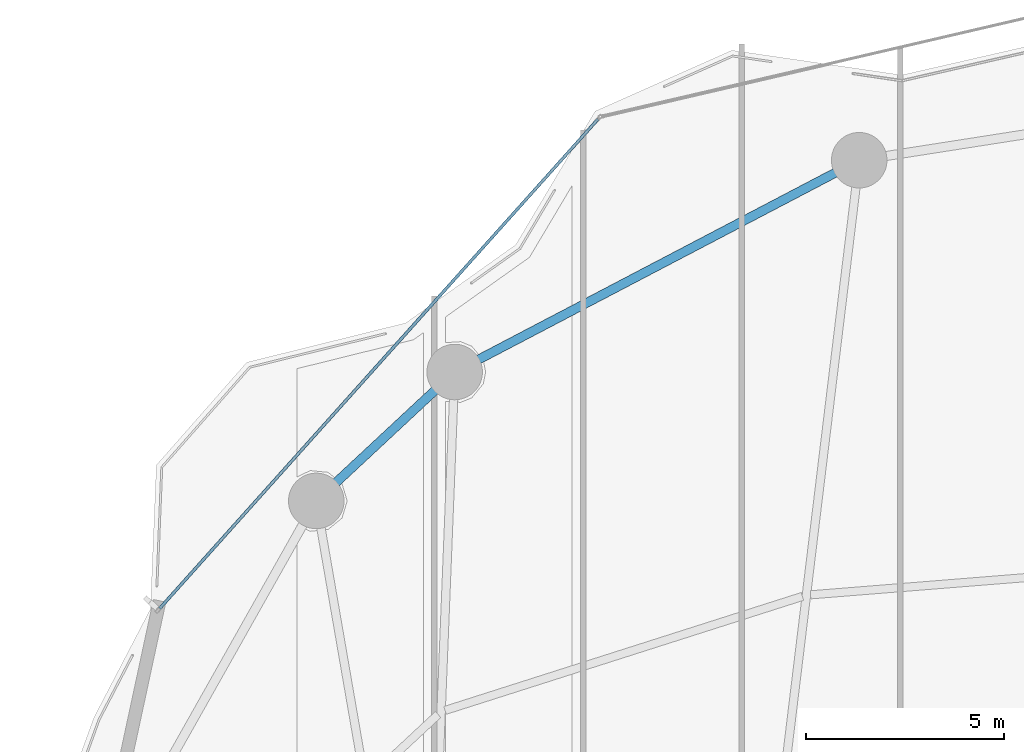
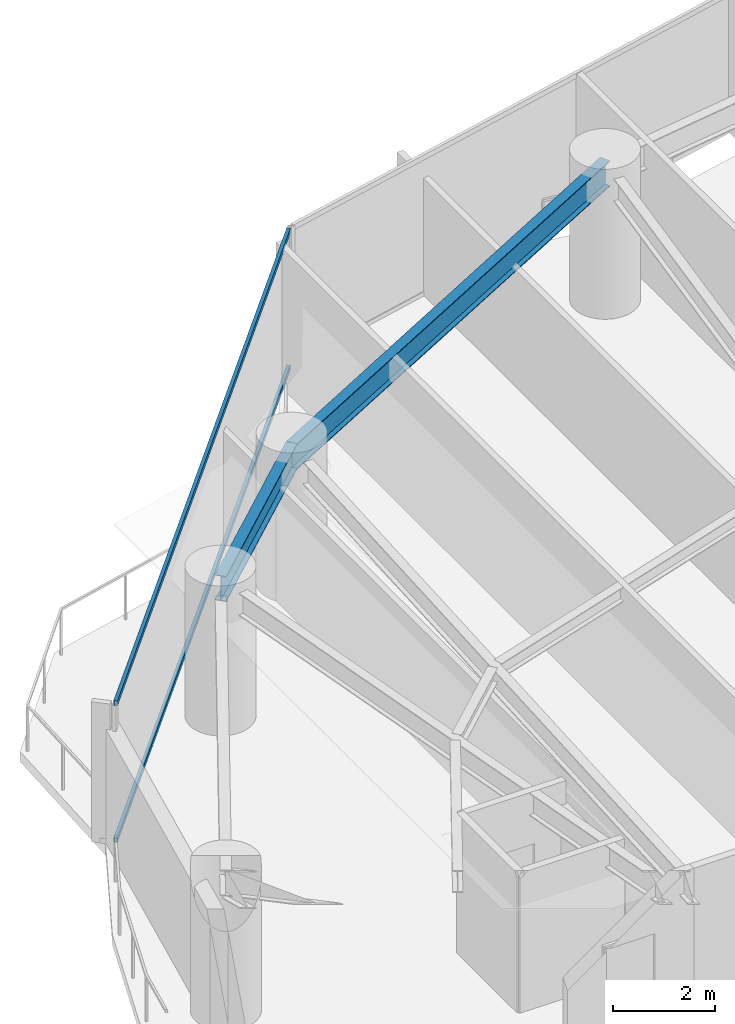
# One storey, part 18 of 31: 2 beams, 2 members, 1 element without a shape of its own.
"""IFC4 building model written with IfcOpenShell, lengths in metres."""

from ifc_helpers import new_model, si_unit, direction, frame, origin, origin_2d, place, context, subcontext, project, spatial, hollow_rectangle, i_section, extrude, material, layer, layer_set, material_profile, profile_set, type_object, element, aggregate, save


model = new_model("IFC4")

# Units and contexts
model_context = context("Model", 3, precision=1e-05, world=origin(), true_north=direction((0.0, 1.0)))
body_context = subcontext(model_context, "Body", "Model", "MODEL_VIEW")
ifc_project = project(units=[si_unit("LENGTHUNIT", "METRE"), si_unit("AREAUNIT", "SQUARE_METRE"), si_unit("VOLUMEUNIT", "CUBIC_METRE"), si_unit("PLANEANGLEUNIT", "RADIAN"), si_unit("MASSUNIT", "GRAM", prefix="KILO")], contexts=[model_context])

# Site, building, storey
site_placement = place(None, origin())
site = spatial("IfcSite", under=ifc_project, at=site_placement, CompositionType="ELEMENT")
building_placement = place(site_placement, origin())
building = spatial("IfcBuilding", under=site, at=building_placement, Name="Kazevale Care Tower and Concert Hall", CompositionType="ELEMENT")
storey_placement = place(building_placement, frame((0.0, 0.0, 78.0)))
storey = spatial("IfcBuildingStorey", under=building, at=storey_placement, Name="L20", CompositionType="ELEMENT", Elevation=78.0)

# Curtain wall, members
ifc_material_1 = material(Name="Aluminium 6063-T6 and Low-E Glass", Category="aluminium")
ifc_layer = layer(ifc_material_1, 0.179931640625)
ifc_layer_set = layer_set([ifc_layer], Name="Aluminium 6063-T6 and Low-E Glass")
curtain_wall_type = type_object("IfcCurtainWallType", Name="Convex Checkerboard Finned Curtain Wall CW-2", PredefinedType="NOTDEFINED", material=ifc_layer_set)
curtain_wall_placement = place(storey_placement, origin())
curtain_wall = element("IfcCurtainWall", 1, at=curtain_wall_placement, inside=storey, type_object=curtain_wall_type, Name="cw:L20:f14", PredefinedType="NOTDEFINED")
ifc_material_2 = material(Name="Aluminium 6063-T6", Category="aluminium")
ifc_material_profile_1 = material_profile(ifc_material_2, hollow_rectangle(XDim=0.074951171875, YDim=0.1201171875, WallThickness=0.00390625, at=origin_2d()), Name="ALU75x120x4")
ifc_profile_set_1 = profile_set([ifc_material_profile_1], Name="Aluminium 6063-T6")
member_type = type_object("IfcMemberType", Name="CW-2 Transom ALU75x120x4", PredefinedType="USERDEFINED", material=ifc_profile_set_1)
member_1_placement = place(storey_placement, frame((15.3193359375, 49.466552734375, 0.03759765625), z_axis=(0.667262631636, 0.744822516055, 0.0), x_axis=(-0.744822516055, 0.667262631636, 0.0)))
member_1 = element("IfcMember", 2, at=member_1_placement, type_object=member_type, Name="CW-2 transom 1.1", ObjectType="TRANSOM", PredefinedType="USERDEFINED", context=body_context, shape_type="SweptSolid", body=[
    extrude(hollow_rectangle(XDim=0.074951171875, YDim=0.1201171875, WallThickness=0.00390625, at=origin_2d()), origin(), (0.0, 0.0, 1.0), 16.5634765625),
])
member_2_placement = place(storey_placement, frame((15.3193359375, 49.466552734375, 3.322509765625), z_axis=(0.667262631636, 0.744822516055, 0.0), x_axis=(-0.744822516055, 0.667262631636, 0.0)))
member_2 = element("IfcMember", 3, at=member_2_placement, type_object=member_type, Name="CW-2 transom 1.2", ObjectType="TRANSOM", PredefinedType="USERDEFINED", context=body_context, shape_type="SweptSolid", body=[
    extrude(hollow_rectangle(XDim=0.074951171875, YDim=0.1201171875, WallThickness=0.00390625, at=origin_2d()), origin(), (0.0, 0.0, 1.0), 16.5634765625),
])
aggregate(curtain_wall, [member_1, member_2])

# Beams
ifc_material_3 = material(Name="Steel ASTM A572 Gr 50", Category="steel")
ifc_material_profile_2 = material_profile(ifc_material_3, i_section(OverallWidth=0.22900390625, OverallDepth=0.612060546875, WebThickness=0.011962890625, FlangeThickness=0.01953125, at=origin_2d()), Name="W610x125")
ifc_profile_set_2 = profile_set([ifc_material_profile_2], Name="Steel ASTM A572 Gr 50")
beam_type = type_object("IfcBeamType", Name="Ring Spandrel Beam W610x125", PredefinedType="SPANDREL", material=ifc_profile_set_2)
beam_1_placement = place(storey_placement, frame((32.9599609375, 60.77001953125, 3.053955078125), z_axis=(-0.885929466679, -0.463819986708, 0.0), x_axis=(0.463819986708, -0.885929466679, 0.0)))
element("IfcBeam", 4, at=beam_1_placement, inside=storey, type_object=beam_type, Name="beam:L20:ring:06", PredefinedType="SPANDREL", context=body_context, shape_type="SweptSolid", body=[
    extrude(i_section(OverallWidth=0.22900390625, OverallDepth=0.612060546875, WebThickness=0.011962890625, FlangeThickness=0.01953125, at=origin_2d()), origin(), (0.0, 0.0, 1.0), 11.51318359375),
])
beam_2_placement = place(storey_placement, frame((22.760009765625, 55.429931640625, 3.053955078125), z_axis=(-0.731820896228, -0.681497010884, 0.0), x_axis=(0.681497010884, -0.731820896228, 0.0)))
element("IfcBeam", 5, at=beam_2_placement, inside=storey, type_object=beam_type, Name="beam:L20:ring:07", PredefinedType="SPANDREL", context=body_context, shape_type="SweptSolid", body=[
    extrude(i_section(OverallWidth=0.22900390625, OverallDepth=0.612060546875, WebThickness=0.011962890625, FlangeThickness=0.01953125, at=origin_2d()), origin(), (0.0, 0.0, 1.0), 4.768798828125),
])

save(model, "model.ifc")
